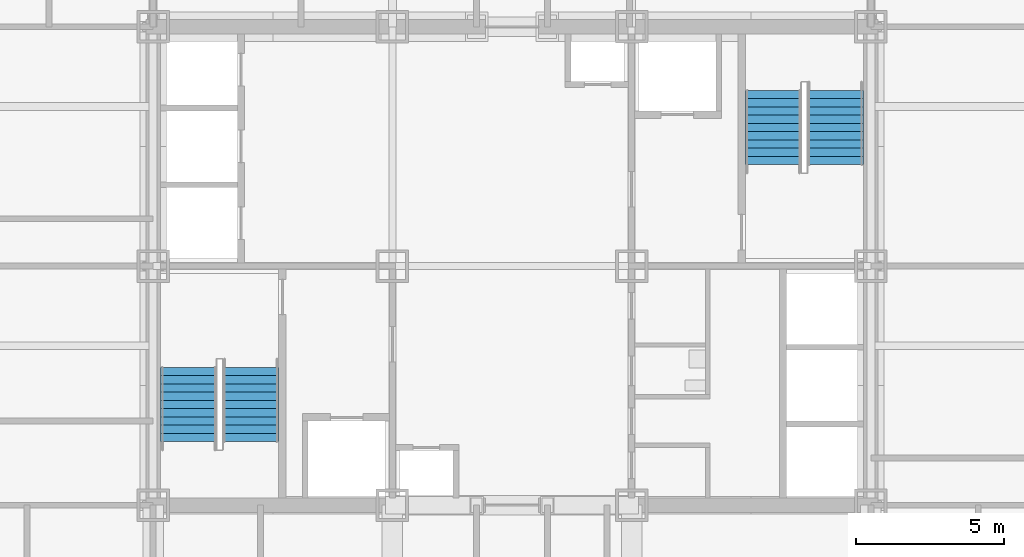
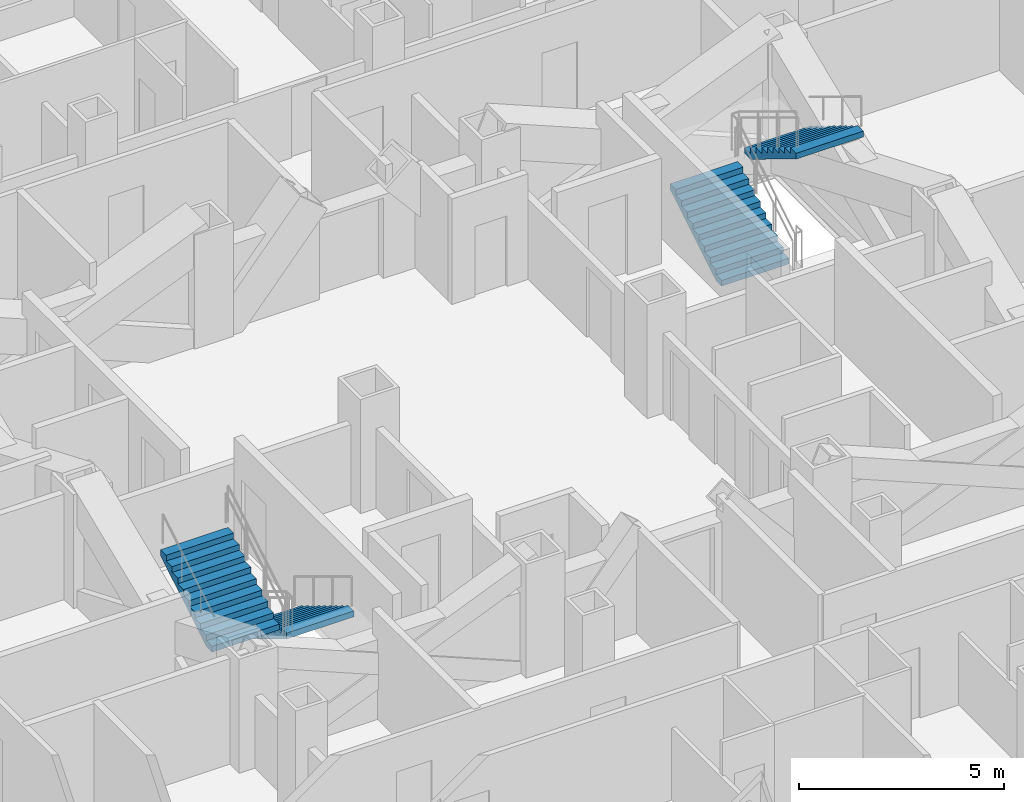
# One storey, part 13 of 15: 4 stair flights, 2 elements without a shape of their own.
"""IFC4 building model written with IfcOpenShell, lengths in metres."""

import ifcopenshell
import ifcopenshell.guid

model = None  # the IFC model being written
_history = None  # IfcOwnerHistory: only IFC2X3 demands one
_inside = {}  # id of a spatial element -> (the spatial element, [elements in it])
_under = {}  # id of a project, library or spatial element -> (it, [spatial elements below it])
_declared = {}  # id of a project -> (the project, [libraries it declares])
_typed = {}  # id of a type object -> (the type object, [elements of that type])
_made_of = {}  # id of a material, layer set ... -> (it, [elements and type objects made of it])


def new_model(schema):
    """Start an empty IFC model of exactly this schema.

    Asked for "IFC4X3", IfcOpenShell would pick the latest addendum, in which some entities
    have other attributes; the version numbers below select the first issue.
    IFC2X3 requires an IfcOwnerHistory on every rooted entity: one is made here for all.
    """
    global model, _history
    if schema == "IFC4X3":
        model = ifcopenshell.file(schema_version=(4, 3, 0, 0))
    else:
        model = ifcopenshell.file(schema=schema)
    _inside.clear()
    _under.clear()
    _declared.clear()
    _typed.clear()
    _made_of.clear()
    _history = None
    if model.schema == "IFC2X3":
        org = make("IfcOrganization", Name="unknown")
        user = make(
            "IfcPersonAndOrganization",
            ThePerson=make("IfcPerson", FamilyName="unknown"),
            TheOrganization=org,
        )
        app = make(
            "IfcApplication",
            ApplicationDeveloper=org,
            Version="unknown",
            ApplicationFullName="unknown",
            ApplicationIdentifier="unknown",
        )
        _history = make(
            "IfcOwnerHistory",
            OwningUser=user,
            OwningApplication=app,
            ChangeAction="ADDED",
            CreationDate=0,
        )
    return model


def make(cls, **values):
    """One entity of the class cls with the attributes given. An attribute that is None is left unset."""
    return model.create_entity(
        cls, **{name: value for name, value in values.items() if value is not None}
    )


def rooted(cls, **values):
    """An entity with a GlobalId (a new one), such as an element, a storey or a relation."""
    return make(cls, GlobalId=ifcopenshell.guid.new(), OwnerHistory=_history, **values)


def si_unit(unit_type, name, prefix=None):
    """IfcSIUnit, for example si_unit("LENGTHUNIT", "METRE", prefix="MILLI")."""
    return make("IfcSIUnit", UnitType=unit_type, Prefix=prefix, Name=name)


def assignment(units):
    """IfcUnitAssignment: the units of a project."""
    return None if units is None else make("IfcUnitAssignment", Units=units)


def point(xyz):
    """IfcCartesianPoint."""
    return None if xyz is None else make("IfcCartesianPoint", Coordinates=xyz)


def direction(xyz):
    """IfcDirection."""
    return None if xyz is None else make("IfcDirection", DirectionRatios=xyz)


def frame(location, z_axis=None, x_axis=None):
    """IfcAxis2Placement3D, a coordinate frame: its origin and axes. An axis left out is left unset."""
    return make(
        "IfcAxis2Placement3D",
        Location=point(location),
        Axis=direction(z_axis),
        RefDirection=direction(x_axis),
    )


def origin():
    """The frame at (0, 0, 0) with its axes left unset."""
    return frame((0.0, 0.0, 0.0))


def place(relative_to, where):
    """IfcLocalPlacement: puts the frame where relative to a parent placement (None: the world)."""
    return make(
        "IfcLocalPlacement", PlacementRelTo=relative_to, RelativePlacement=where
    )


def context(
    kind, dimensions, precision=None, world=None, true_north=None, identifier=None
):
    """IfcGeometricRepresentationContext, for example the 3D "Model" context."""
    return make(
        "IfcGeometricRepresentationContext",
        ContextIdentifier=identifier,
        ContextType=kind,
        CoordinateSpaceDimension=dimensions,
        Precision=precision,
        WorldCoordinateSystem=world,
        TrueNorth=true_north,
    )


def subcontext(parent, identifier, kind, view, scale=None):
    """IfcGeometricRepresentationSubContext, for example "Body" below "Model"."""
    return make(
        "IfcGeometricRepresentationSubContext",
        ContextIdentifier=identifier,
        ContextType=kind,
        ParentContext=parent,
        TargetScale=scale,
        TargetView=view,
    )


def project(units=None, contexts=None):
    """IfcProject with its units and contexts."""
    return rooted(
        "IfcProject",
        Name="project",
        RepresentationContexts=contexts,
        UnitsInContext=assignment(units),
    )


def spatial(cls, under=None, at=None, **own):
    """A site, building, storey or space (cls), placed at a placement, below another one or the project."""
    s = rooted(cls, ObjectPlacement=at, **own)
    if under is not None:
        _under.setdefault(under.id(), (under, []))[1].append(s)
    return s


def point_list(points):
    """IfcCartesianPointList2D or 3D."""
    cls = (
        "IfcCartesianPointList2D" if len(points[0]) == 2 else "IfcCartesianPointList3D"
    )
    return make(cls, CoordList=points)


def polygons(points, faces, closed=None, point_numbers=None):
    """IfcPolygonalFaceSet: a face is its outer loop, then its inner loops; points numbered from 1."""
    made = []
    for loops in faces:
        if len(loops) == 1:
            made.append(make("IfcIndexedPolygonalFace", CoordIndex=loops[0]))
        else:
            made.append(
                make(
                    "IfcIndexedPolygonalFaceWithVoids",
                    CoordIndex=loops[0],
                    InnerCoordIndices=loops[1:],
                )
            )
    return make(
        "IfcPolygonalFaceSet",
        Coordinates=point_list(points),
        Closed=closed,
        Faces=made,
        PnIndex=point_numbers,
    )


def shape(context_of_items, identifier, shape_type, items):
    """IfcShapeRepresentation: the items that make up one representation, for example the "Body"."""
    return make(
        "IfcShapeRepresentation",
        ContextOfItems=context_of_items,
        RepresentationIdentifier=identifier,
        RepresentationType=shape_type,
        Items=items,
    )


def source(mapping_origin, context_of_items, identifier, shape_type, items):
    """IfcRepresentationMap: a shape defined once, which mapped items show again and again."""
    return make(
        "IfcRepresentationMap",
        MappingOrigin=mapping_origin,
        MappedRepresentation=shape(context_of_items, identifier, shape_type, items),
    )


def transform(
    local_origin,
    x_axis=None,
    y_axis=None,
    z_axis=None,
    scale=None,
    scale2=None,
    scale3=None,
    uniform=True,
):
    """IfcCartesianTransformationOperator3D, or its non-uniform kind. x_axis, y_axis, z_axis: its Axis1, 2, 3."""
    if uniform:
        return make(
            "IfcCartesianTransformationOperator3D",
            Axis1=direction(x_axis),
            Axis2=direction(y_axis),
            LocalOrigin=point(local_origin),
            Scale=scale,
            Axis3=direction(z_axis),
        )
    return make(
        "IfcCartesianTransformationOperator3DnonUniform",
        Axis1=direction(x_axis),
        Axis2=direction(y_axis),
        LocalOrigin=point(local_origin),
        Scale=scale,
        Axis3=direction(z_axis),
        Scale2=scale2,
        Scale3=scale3,
    )


def mapped(mapping_source, mapping_target):
    """IfcMappedItem: shows the shape of a source again, moved by a transform."""
    return make(
        "IfcMappedItem", MappingSource=mapping_source, MappingTarget=mapping_target
    )


def material(Name=None, Category=None):
    """IfcMaterial."""
    return make("IfcMaterial", Name=Name, Category=Category)


def made_of(thing, what):
    """Note that an element or type object is made of a material, layer set ...; save() writes the relation."""
    if what is not None:
        _made_of.setdefault(what.id(), (what, []))[1].append(thing)
    return thing


def type_object(cls, material=None, **own):
    """A type object (cls), such as IfcWallType, which elements share."""
    return made_of(rooted(cls, **own), material)


def element(
    cls,
    number,
    at=None,
    inside=None,
    cuts=None,
    type_object=None,
    material=None,
    context=None,
    identifier="Body",
    shape_type=None,
    held_by="IfcProductDefinitionShape",
    body=None,
    shapes=None,
    **own,
):
    """One element of the class cls, such as IfcWall. Its Tag is "e" and its number.

    at: its placement. inside: the storey or other place that contains it. cuts: it is an
    opening in that element (IfcRelVoidsElement). A single representation is given by context,
    identifier, shape_type and body (its items); several are given by shapes. held_by: the class
    of the entity that holds the representations. save() writes the other relations.
    """
    e = rooted(cls, Tag="e%d" % number, ObjectPlacement=at, **own)
    if body is not None:
        shapes = [shape(context, identifier, shape_type, body)]
    if shapes is not None:
        e.Representation = make(held_by, Representations=shapes)
    if inside is not None:
        _inside.setdefault(inside.id(), (inside, []))[1].append(e)
    if cuts is not None:
        rooted(
            "IfcRelVoidsElement", RelatingBuildingElement=cuts, RelatedOpeningElement=e
        )
    if type_object is not None:
        _typed.setdefault(type_object.id(), (type_object, []))[1].append(e)
    return made_of(e, material)


def aggregate(whole, parts):
    """IfcRelAggregates: a whole, such as a stair, and the parts it consists of."""
    return rooted("IfcRelAggregates", RelatingObject=whole, RelatedObjects=parts)


def save(model, path):
    """Write the relations noted so far, then the file.

    IfcRelAggregates (storeys below a building ...), IfcRelContainedInSpatialStructure (elements
    in a storey), IfcRelDefinesByType, IfcRelAssociatesMaterial and IfcRelDeclares: one each for
    every whole, place, type object, material and project.
    """
    for whole, parts in _under.values():
        aggregate(whole, parts)
    for where, things in _inside.values():
        rooted(
            "IfcRelContainedInSpatialStructure",
            RelatedElements=things,
            RelatingStructure=where,
        )
    for kind, things in _typed.values():
        rooted("IfcRelDefinesByType", RelatedObjects=things, RelatingType=kind)
    for what, things in _made_of.values():
        rooted("IfcRelAssociatesMaterial", RelatedObjects=things, RelatingMaterial=what)
    for by, libraries in _declared.values():
        rooted("IfcRelDeclares", RelatingContext=by, RelatedDefinitions=libraries)
    model.write(path)


model = new_model("IFC4")

# Units and contexts
model_context = context("Model", 3, precision=1e-05, world=origin(), true_north=direction((0.0, 1.0)))
body_context = subcontext(model_context, "Body", "Model", "MODEL_VIEW")
ifc_project = project(units=[si_unit("LENGTHUNIT", "METRE"), si_unit("AREAUNIT", "SQUARE_METRE"), si_unit("VOLUMEUNIT", "CUBIC_METRE"), si_unit("PLANEANGLEUNIT", "RADIAN"), si_unit("MASSUNIT", "GRAM", prefix="KILO")], contexts=[model_context])

# Site, building, storey
site_placement = place(None, origin())
site = spatial("IfcSite", under=ifc_project, at=site_placement, CompositionType="ELEMENT")
building_placement = place(site_placement, origin())
building = spatial("IfcBuilding", under=site, at=building_placement, Name="Kopane Lantern Tower", CompositionType="ELEMENT")
storey_placement = place(building_placement, frame((0.0, 0.0, 154.39990234375)))
storey = spatial("IfcBuildingStorey", under=building, at=storey_placement, Name="L40", CompositionType="ELEMENT", Elevation=154.39990234375)

# Stair, stair flights
ifc_material_1 = material(Name="Steel S355JR", Category="steel")
stair_type = type_object("IfcStairType", Name="EXIT STAIR 1900 HALF TURN", PredefinedType="HALF_TURN_STAIR", material=ifc_material_1)
stair_1_placement = place(storey_placement, origin())
stair_1 = element("IfcStair", 1, at=stair_1_placement, inside=storey, type_object=stair_type, Name="Exit stair ST1 L40", PredefinedType="HALF_TURN_STAIR")
ifc_material_2 = material(Name="Steel S355JR", Category="steel")
stair_flight_type = type_object("IfcStairFlightType", Name="STAIR FLIGHT 1900 STEEL", PredefinedType="STRAIGHT", material=ifc_material_2)
shared_shape = source(origin(), body_context, "Body", "Tessellation", [
    polygons([(2.520019531, 0.949951172, 1.530029297), (2.239990234, 0.949951172, 1.530029297), (2.239990234, -0.949951172, 1.530029297), (2.520019531, -0.949951172, 1.530029297), (0.288818359, 0.949951172, 0.0), (2.520019531, 0.949951172, 1.354736328), (2.520019531, -0.949951172, 1.354736328), (0.288818359, -0.949951172, 0.0), (0.0, 0.949951172, 0.0), (0.0, -0.949951172, 0.0), (0.280029297, 0.949951172, 0.169921875), (0.0, 0.949951172, 0.169921875), (0.0, -0.949951172, 0.169921875), (0.280029297, -0.949951172, 0.169921875), (0.280029297, 0.949951172, 0.340087891), (0.280029297, -0.949951172, 0.340087891), (0.560058594, 0.949951172, 0.340087891), (0.560058594, -0.949951172, 0.340087891), (0.560058594, 0.949951172, 0.510009766), (0.560058594, -0.949951172, 0.510009766), (0.840087891, 0.949951172, 0.510009766), (0.840087891, -0.949951172, 0.510009766), (0.840087891, 0.949951172, 0.679931641), (0.840087891, -0.949951172, 0.679931641), (1.120117188, 0.949951172, 0.679931641), (1.120117188, -0.949951172, 0.679931641), (1.120117188, 0.949951172, 0.850097656), (1.120117188, -0.949951172, 0.850097656), (1.399902344, 0.949951172, 0.850097656), (1.399902344, -0.949951172, 0.850097656), (1.399902344, 0.949951172, 1.020019531), (1.399902344, -0.949951172, 1.020019531), (1.679931641, 0.949951172, 1.020019531), (1.679931641, -0.949951172, 1.020019531), (1.679931641, 0.949951172, 1.189941406), (1.679931641, -0.949951172, 1.189941406), (1.959960938, 0.949951172, 1.189941406), (1.959960938, -0.949951172, 1.189941406), (1.959960938, 0.949951172, 1.360107422), (1.959960938, -0.949951172, 1.360107422), (2.239990234, 0.949951172, 1.360107422), (2.239990234, -0.949951172, 1.360107422), (0.0, 0.0, 0.004592483), (0.0, 0.0, 0.009184966), (0.0, 0.0, 0.013777449), (0.0, 0.0, 0.018369932), (0.0, 0.0, 0.022962416), (0.0, 0.0, 0.027554899), (0.0, 0.0, 0.032147382), (0.0, 0.0, 0.036739865), (0.0, 0.0, 0.041332348), (0.0, 0.0, 0.045924831), (0.0, 0.0, 0.050517314), (0.0, 0.0, 0.055109797), (0.0, 0.0, 0.05970228), (0.0, 0.0, 0.064294764), (0.0, 0.0, 0.068887247), (0.0, 0.0, 0.07347973), (0.0, 0.0, 0.078072213), (0.0, 0.0, 0.082664696), (0.0, 0.0, 0.087257179), (0.0, 0.0, 0.091849662), (0.0, 0.0, 0.096442145), (0.0, 0.0, 0.101034628), (0.0, 0.0, 0.105627111), (0.0, 0.0, 0.110219595), (0.0, 0.0, 0.114812078), (0.0, 0.0, 0.119404561), (0.0, 0.0, 0.123997044), (0.0, 0.0, 0.128589527), (0.0, 0.0, 0.13318201), (0.0, 0.0, 0.137774493), (0.0, 0.0, 0.142366976), (0.0, 0.0, 0.146959459), (0.0, 0.0, 0.151551943), (0.0, 0.0, 0.156144426), (0.0, 0.0, 0.160736909), (0.0, 0.0, 0.165329392), (2.520019531, 0.0, 1.359473976), (2.520019531, 0.0, 1.364211624), (2.520019531, 0.0, 1.368949272), (2.520019531, 0.0, 1.373686919), (2.520019531, 0.0, 1.378424567), (2.520019531, 0.0, 1.383162215), (2.520019531, 0.0, 1.387899863), (2.520019531, 0.0, 1.392637511), (2.520019531, 0.0, 1.397375158), (2.520019531, 0.0, 1.402112806), (2.520019531, 0.0, 1.406850454), (2.520019531, 0.0, 1.411588102), (2.520019531, 0.0, 1.41632575), (2.520019531, 0.0, 1.421063397), (2.520019531, 0.0, 1.425801045), (2.520019531, 0.0, 1.430538693), (2.520019531, 0.0, 1.435276341), (2.520019531, 0.0, 1.440013989), (2.520019531, 0.0, 1.444751636), (2.520019531, 0.0, 1.449489284), (2.520019531, 0.0, 1.454226932), (2.520019531, 0.0, 1.45896458), (2.520019531, 0.0, 1.463702228), (2.520019531, 0.0, 1.468439875), (2.520019531, 0.0, 1.473177523), (2.520019531, 0.0, 1.477915171), (2.520019531, 0.0, 1.482652819), (2.520019531, 0.0, 1.487390467), (2.520019531, 0.0, 1.492128114), (2.520019531, 0.0, 1.496865762), (2.520019531, 0.0, 1.50160341), (2.520019531, 0.0, 1.506341058), (2.520019531, 0.0, 1.511078706), (2.520019531, 0.0, 1.515816353), (2.520019531, 0.0, 1.520554001), (2.520019531, 0.0, 1.525291649)], [[[1, 2, 3]], [[1, 3, 4]], [[5, 6, 7]], [[5, 7, 8]], [[9, 5, 8]], [[9, 8, 10]], [[11, 12, 13]], [[11, 13, 14]], [[15, 11, 14]], [[15, 14, 16]], [[17, 15, 16]], [[17, 16, 18]], [[19, 17, 18]], [[19, 18, 20]], [[21, 19, 20]], [[21, 20, 22]], [[23, 21, 22]], [[23, 22, 24]], [[25, 23, 24]], [[25, 24, 26]], [[27, 25, 26]], [[27, 26, 28]], [[29, 27, 28]], [[29, 28, 30]], [[31, 29, 30]], [[31, 30, 32]], [[33, 31, 32]], [[33, 32, 34]], [[35, 33, 34]], [[35, 34, 36]], [[37, 35, 36]], [[37, 36, 38]], [[39, 37, 38]], [[39, 38, 40]], [[41, 39, 40]], [[41, 40, 42]], [[2, 41, 42]], [[2, 42, 3]], [[41, 1, 6]], [[37, 41, 6]], [[2, 1, 41]], [[33, 37, 6]], [[39, 41, 37]], [[35, 37, 33]], [[31, 33, 29]], [[5, 21, 25]], [[27, 29, 25]], [[17, 21, 5]], [[23, 25, 21]], [[11, 17, 5]], [[19, 21, 17]], [[9, 11, 5]], [[15, 17, 11]], [[12, 11, 9]], [[6, 5, 25]], [[6, 25, 29]], [[6, 29, 33]], [[7, 4, 42]], [[7, 42, 38]], [[42, 4, 3]], [[7, 38, 34]], [[38, 42, 40]], [[34, 38, 36]], [[30, 34, 32]], [[26, 22, 8]], [[26, 30, 28]], [[8, 22, 18]], [[22, 26, 24]], [[8, 18, 14]], [[18, 22, 20]], [[8, 14, 10]], [[14, 18, 16]], [[10, 14, 13]], [[26, 8, 7]], [[30, 26, 7]], [[34, 30, 7]], [[10, 43, 9]], [[10, 44, 43]], [[9, 43, 44]], [[10, 45, 44]], [[9, 44, 45]], [[10, 46, 45]], [[9, 45, 46]], [[10, 47, 46]], [[9, 46, 47]], [[10, 48, 47]], [[9, 47, 48]], [[10, 49, 48]], [[9, 48, 49]], [[10, 50, 49]], [[9, 49, 50]], [[10, 51, 50]], [[9, 50, 51]], [[10, 52, 51]], [[9, 51, 52]], [[10, 53, 52]], [[9, 52, 53]], [[10, 54, 53]], [[9, 53, 54]], [[10, 55, 54]], [[9, 54, 55]], [[10, 56, 55]], [[9, 55, 56]], [[10, 57, 56]], [[9, 56, 57]], [[10, 58, 57]], [[9, 57, 58]], [[10, 59, 58]], [[9, 58, 59]], [[10, 60, 59]], [[9, 59, 60]], [[10, 61, 60]], [[9, 60, 61]], [[10, 62, 61]], [[9, 61, 62]], [[10, 63, 62]], [[9, 62, 63]], [[10, 64, 63]], [[9, 63, 64]], [[10, 65, 64]], [[9, 64, 65]], [[10, 66, 65]], [[9, 65, 66]], [[10, 67, 66]], [[9, 66, 67]], [[10, 68, 67]], [[9, 67, 68]], [[10, 69, 68]], [[9, 68, 69]], [[10, 70, 69]], [[9, 69, 70]], [[10, 71, 70]], [[9, 70, 71]], [[10, 72, 71]], [[9, 71, 72]], [[10, 73, 72]], [[9, 72, 73]], [[10, 74, 73]], [[9, 73, 74]], [[10, 75, 74]], [[9, 74, 75]], [[10, 76, 75]], [[9, 75, 76]], [[10, 77, 76]], [[9, 76, 77]], [[10, 78, 77]], [[9, 77, 78]], [[10, 13, 78]], [[78, 13, 12]], [[9, 78, 12]], [[7, 6, 79]], [[7, 79, 80]], [[6, 80, 79]], [[7, 80, 81]], [[6, 81, 80]], [[7, 81, 82]], [[6, 82, 81]], [[7, 82, 83]], [[6, 83, 82]], [[7, 83, 84]], [[6, 84, 83]], [[7, 84, 85]], [[6, 85, 84]], [[7, 85, 86]], [[6, 86, 85]], [[7, 86, 87]], [[6, 87, 86]], [[7, 87, 88]], [[6, 88, 87]], [[7, 88, 89]], [[6, 89, 88]], [[7, 89, 90]], [[6, 90, 89]], [[7, 90, 91]], [[6, 91, 90]], [[7, 91, 92]], [[6, 92, 91]], [[7, 92, 93]], [[6, 93, 92]], [[7, 93, 94]], [[6, 94, 93]], [[7, 94, 95]], [[6, 95, 94]], [[7, 95, 96]], [[6, 96, 95]], [[7, 96, 97]], [[6, 97, 96]], [[7, 97, 98]], [[6, 98, 97]], [[7, 98, 99]], [[6, 99, 98]], [[7, 99, 100]], [[6, 100, 99]], [[7, 100, 101]], [[6, 101, 100]], [[7, 101, 102]], [[6, 102, 101]], [[7, 102, 103]], [[6, 103, 102]], [[7, 103, 104]], [[6, 104, 103]], [[7, 104, 105]], [[6, 105, 104]], [[7, 105, 106]], [[6, 106, 105]], [[7, 106, 107]], [[6, 107, 106]], [[7, 107, 108]], [[6, 108, 107]], [[7, 108, 109]], [[6, 109, 108]], [[7, 109, 110]], [[6, 110, 109]], [[7, 110, 111]], [[6, 111, 110]], [[7, 111, 112]], [[6, 112, 111]], [[7, 112, 113]], [[6, 113, 112]], [[7, 113, 114]], [[6, 114, 113]], [[7, 114, 4]], [[114, 1, 4]], [[6, 1, 114]]], closed=True),
])
stair_flight_1_placement = place(storey_placement, frame((19.5, 28.969970703125, 0.0), z_axis=(0.0, 0.0, 1.0), x_axis=(0.0, -1.0, 0.0)))
stair_flight_1 = element("IfcStairFlight", 2, at=stair_flight_1_placement, type_object=stair_flight_type, Name="ST1 flight 1", NumberOfRisers=10, NumberOfTreads=9, PredefinedType="STRAIGHT", RiserHeight=0.17, TreadLength=0.28, context=body_context, shape_type="MappedRepresentation", body=[
    mapped(shared_shape, transform((0.0, 0.0, 0.0))),
])
stair_flight_2_placement = place(storey_placement, frame((17.39990234375, 26.449951171875, 1.7001953125), z_axis=(0.0, 0.0, 1.0), x_axis=(0.0, 1.0, 0.0)))
stair_flight_2 = element("IfcStairFlight", 3, at=stair_flight_2_placement, type_object=stair_flight_type, Name="ST1 flight 2", NumberOfRisers=10, NumberOfTreads=9, PredefinedType="STRAIGHT", RiserHeight=0.17, TreadLength=0.28, context=body_context, shape_type="MappedRepresentation", body=[
    mapped(shared_shape, transform((0.0, 0.0, 0.0))),
])
aggregate(stair_1, [stair_flight_1, stair_flight_2])

stair_2_placement = place(storey_placement, origin())
stair_2 = element("IfcStair", 4, at=stair_2_placement, inside=storey, type_object=stair_type, Name="Exit stair ST2 L40", PredefinedType="HALF_TURN_STAIR")
stair_flight_3_placement = place(storey_placement, frame((37.199951171875, 35.830078125, 0.0), z_axis=(0.0, 0.0, 1.0), x_axis=(0.0, 1.0, 0.0)))
stair_flight_3 = element("IfcStairFlight", 5, at=stair_flight_3_placement, type_object=stair_flight_type, Name="ST2 flight 1", NumberOfRisers=10, NumberOfTreads=9, PredefinedType="STRAIGHT", RiserHeight=0.17, TreadLength=0.28, context=body_context, shape_type="MappedRepresentation", body=[
    mapped(shared_shape, transform((0.0, 0.0, 0.0))),
])
stair_flight_4_placement = place(storey_placement, frame((39.300048828125, 38.35009765625, 1.7001953125), z_axis=(0.0, 0.0, 1.0), x_axis=(0.0, -1.0, 0.0)))
stair_flight_4 = element("IfcStairFlight", 6, at=stair_flight_4_placement, type_object=stair_flight_type, Name="ST2 flight 2", NumberOfRisers=10, NumberOfTreads=9, PredefinedType="STRAIGHT", RiserHeight=0.17, TreadLength=0.28, context=body_context, shape_type="MappedRepresentation", body=[
    mapped(shared_shape, transform((0.0, 0.0, 0.0))),
])
aggregate(stair_2, [stair_flight_3, stair_flight_4])

save(model, "model.ifc")
